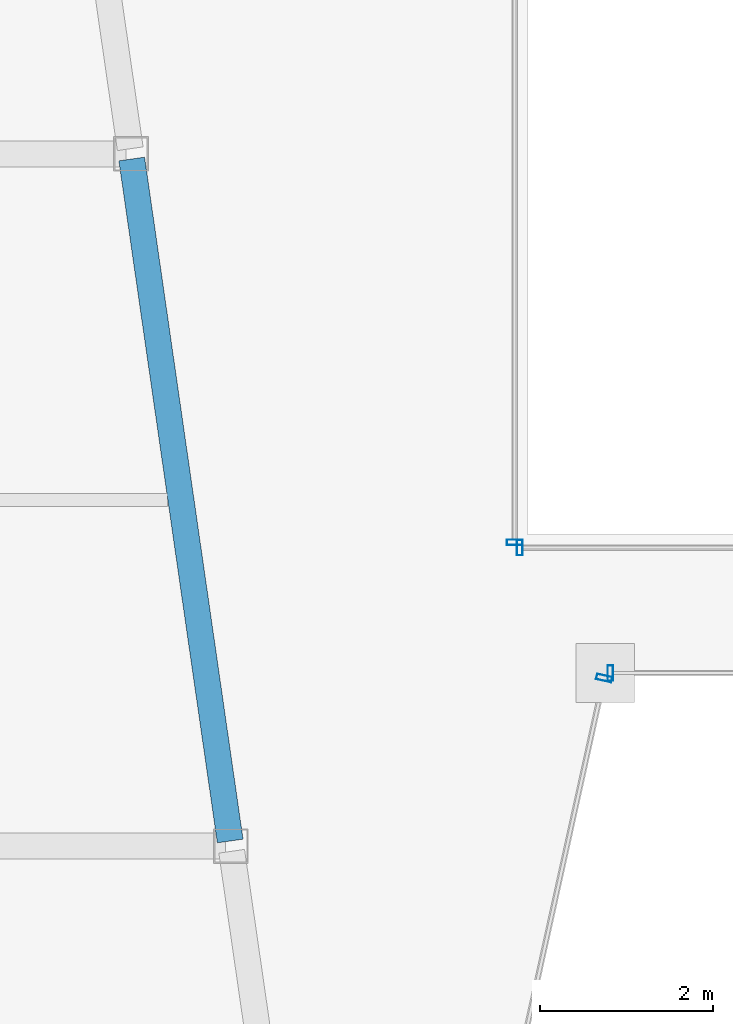
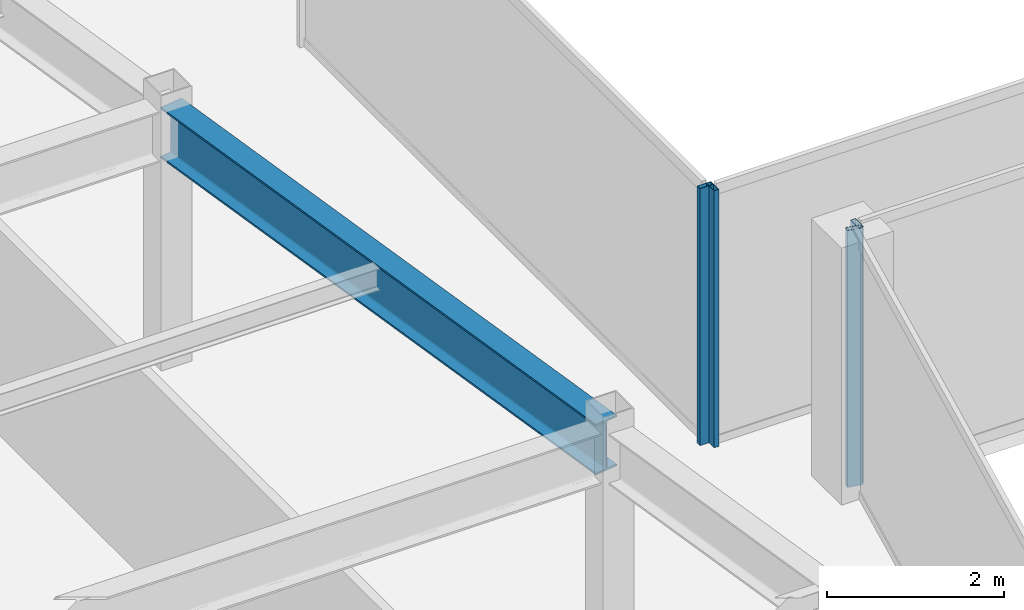
# One storey, part 7 of 36: 4 members, 1 beam, 4 elements without a shape of their own.
"""IFC4 building model written with IfcOpenShell, lengths in metres."""

from ifc_helpers import new_model, si_unit, direction, frame, origin, origin_2d, place, context, subcontext, project, spatial, hollow_rectangle, i_section, extrude, material, material_profile, profile_set, type_object, element, aggregate, save


model = new_model("IFC4")

# Units and contexts
model_context = context("Model", 3, precision=1e-05, world=origin(), true_north=direction((0.0, 1.0)))
body_context = subcontext(model_context, "Body", "Model", "MODEL_VIEW")
ifc_project = project(units=[si_unit("LENGTHUNIT", "METRE"), si_unit("AREAUNIT", "SQUARE_METRE"), si_unit("VOLUMEUNIT", "CUBIC_METRE"), si_unit("PLANEANGLEUNIT", "RADIAN"), si_unit("MASSUNIT", "GRAM", prefix="KILO")], contexts=[model_context])

# Site, building, storey
site_placement = place(None, origin())
site = spatial("IfcSite", under=ifc_project, at=site_placement, CompositionType="ELEMENT")
building_placement = place(site_placement, origin())
building = spatial("IfcBuilding", under=site, at=building_placement, Name="Saevonmaru Cultural Tower", CompositionType="ELEMENT")
storey_placement = place(building_placement, frame((0.0, 0.0, 209.39990234375)))
storey = spatial("IfcBuildingStorey", under=building, at=storey_placement, Name="L48", CompositionType="ELEMENT", Elevation=209.39990234375)

# Beam
ifc_material_1 = material(Name="Steel SM355", Category="steel")
ifc_material_profile_1 = material_profile(ifc_material_1, i_section(OverallWidth=0.300048828125, OverallDepth=0.699951171875, WebThickness=0.012939453125, FlangeThickness=0.02392578125, FilletRadius=0.02587890625, at=origin_2d()), Name="H-700x300x13x24")
ifc_profile_set_1 = profile_set([ifc_material_profile_1], Name="Steel SM355")
beam_type = type_object("IfcBeamType", Name="BM-G-H700", PredefinedType="BEAM", material=ifc_profile_set_1)
beam_placement = place(storey_placement, frame((20.763427734375, 24.059326171875, 3.2001953125), z_axis=(-0.142902032203, 0.989736838353, 0.0), x_axis=(-0.989736838353, -0.142902032203, 0.0)))
element("IfcBeam", 1, at=beam_placement, inside=storey, type_object=beam_type, Name="L48 West Atrium Girder 2", PredefinedType="BEAM", context=body_context, shape_type="SweptSolid", body=[
    extrude(i_section(OverallWidth=0.300048828125, OverallDepth=0.699951171875, WebThickness=0.012939453125, FlangeThickness=0.02392578125, FilletRadius=0.02587890625, at=origin_2d()), origin(), (0.0, 0.0, 1.0), 7.963134765625),
])

# Curtain wall, member
ifc_material_2 = material(Name="Satin Bronze Anodised Aluminium", Category="aluminium")
curtain_wall_type_1 = type_object("IfcCurtainWallType", Name="CW-TYP-B", PredefinedType="NOTDEFINED", material=ifc_material_2)
curtain_wall_1_placement = place(storey_placement, origin())
curtain_wall_1 = element("IfcCurtainWall", 2, at=curtain_wall_1_placement, inside=storey, type_object=curtain_wall_type_1, Name="L48 Unitised Curtain Wall E3", PredefinedType="NOTDEFINED")
ifc_material_profile_2 = material_profile(ifc_material_2, hollow_rectangle(XDim=0.06494140625, YDim=0.179931640625, WallThickness=0.00390625, at=origin_2d()), Name="ALU-MULL-180x65x4")
ifc_profile_set_2 = profile_set([ifc_material_profile_2], Name="Satin Bronze Anodised Aluminium")
member_type_1 = type_object("IfcMemberType", Name="ML-CW-180x65", PredefinedType="MULLION", material=ifc_profile_set_2)
member_1_placement = place(storey_placement, frame((25.0849609375, 25.94140625, 0.0), z_axis=(0.0, 0.0, 1.0), x_axis=(0.215413319953, 0.976522965212, 0.0)))
member_1 = element("IfcMember", 3, at=member_1_placement, type_object=member_type_1, Name="CW-TW-L48-E3 mullion 2", PredefinedType="MULLION", context=body_context, shape_type="SweptSolid", body=[
    extrude(hollow_rectangle(XDim=0.06494140625, YDim=0.179931640625, WallThickness=0.00390625, at=origin_2d()), origin(), (0.0, 0.0, 1.0), 3.550048828125),
])
aggregate(curtain_wall_1, [member_1])

curtain_wall_2_placement = place(storey_placement, origin())
curtain_wall_2 = element("IfcCurtainWall", 4, at=curtain_wall_2_placement, inside=storey, type_object=curtain_wall_type_1, Name="L48 Unitised Curtain Wall E4", PredefinedType="NOTDEFINED")
member_2_placement = place(storey_placement, frame((25.15771484375, 26.0, 0.0), z_axis=(0.0, 0.0, 1.0), x_axis=(1.0, 0.0, 0.0)))
member_2 = element("IfcMember", 5, at=member_2_placement, type_object=member_type_1, Name="CW-TW-L48-E4 mullion 1", PredefinedType="MULLION", context=body_context, shape_type="SweptSolid", body=[
    extrude(hollow_rectangle(XDim=0.06494140625, YDim=0.179931640625, WallThickness=0.00390625, at=origin_2d()), origin(), (0.0, 0.0, 1.0), 3.550048828125),
])
aggregate(curtain_wall_2, [member_2])

curtain_wall_type_2 = type_object("IfcCurtainWallType", Name="CW-ATR-GLZ", PredefinedType="NOTDEFINED", material=ifc_material_2)
curtain_wall_3_placement = place(storey_placement, origin())
curtain_wall_3 = element("IfcCurtainWall", 6, at=curtain_wall_3_placement, inside=storey, type_object=curtain_wall_type_2, Name="L48 Vertical Atrium Glazed Smoke Screen 1", PredefinedType="NOTDEFINED")
ifc_material_profile_3 = material_profile(ifc_material_2, hollow_rectangle(XDim=0.06494140625, YDim=0.179931640625, WallThickness=0.00390625, at=origin_2d()), Name="ALU-MULL-180x65x4")
ifc_profile_set_3 = profile_set([ifc_material_profile_3], Name="Satin Bronze Anodised Aluminium")
member_type_2 = type_object("IfcMemberType", Name="ML-CW-INT-180x65", PredefinedType="MULLION", material=ifc_profile_set_3)
member_3_placement = place(storey_placement, frame((24.110107421875, 27.449951171875, 0.0), z_axis=(0.0, 0.0, 1.0), x_axis=(1.0, 0.0, 0.0)))
member_3 = element("IfcMember", 7, at=member_3_placement, type_object=member_type_2, Name="CW-ATR-L48-1 mullion 1", PredefinedType="MULLION", context=body_context, shape_type="SweptSolid", body=[
    extrude(hollow_rectangle(XDim=0.06494140625, YDim=0.179931640625, WallThickness=0.00390625, at=origin_2d()), origin(), (0.0, 0.0, 1.0), 3.550048828125),
])
aggregate(curtain_wall_3, [member_3])

curtain_wall_4_placement = place(storey_placement, origin())
curtain_wall_4 = element("IfcCurtainWall", 8, at=curtain_wall_4_placement, inside=storey, type_object=curtain_wall_type_2, Name="L48 Vertical Atrium Glazed Smoke Screen 4", PredefinedType="NOTDEFINED")
member_4_placement = place(storey_placement, frame((24.050048828125, 27.510009765625, 0.0), z_axis=(0.0, 0.0, 1.0), x_axis=(0.0, -1.0, 0.0)))
member_4 = element("IfcMember", 9, at=member_4_placement, type_object=member_type_2, Name="CW-ATR-L48-4 mullion 2", PredefinedType="MULLION", context=body_context, shape_type="SweptSolid", body=[
    extrude(hollow_rectangle(XDim=0.06494140625, YDim=0.179931640625, WallThickness=0.00390625, at=origin_2d()), origin(), (0.0, 0.0, 1.0), 3.550048828125),
])
aggregate(curtain_wall_4, [member_4])

save(model, "model.ifc")
